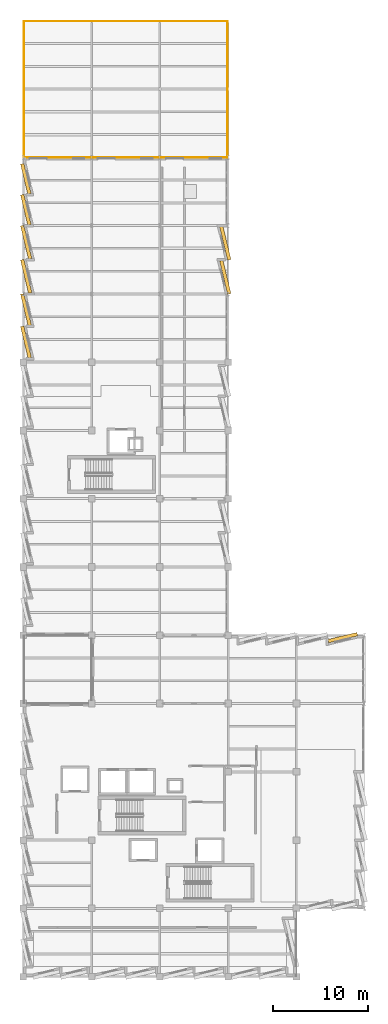
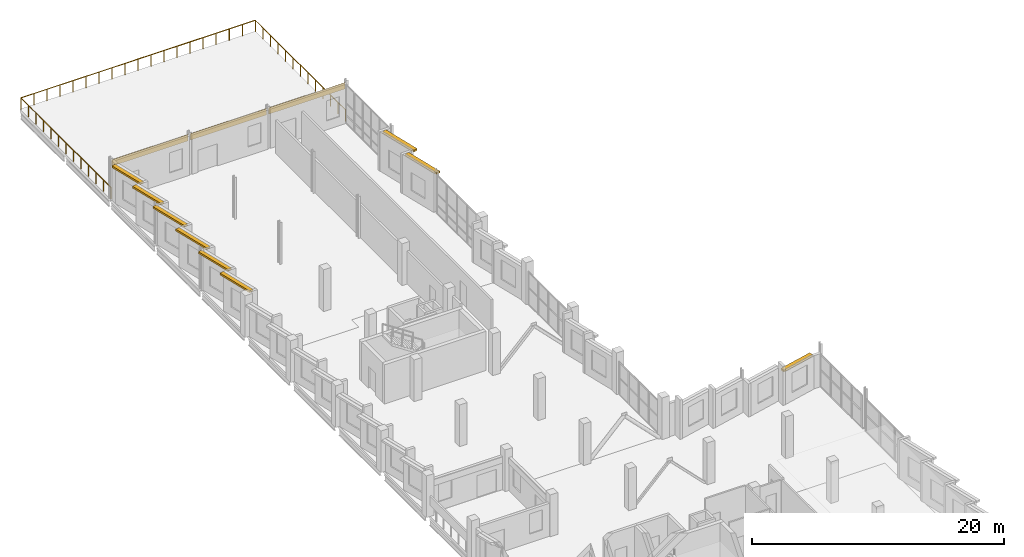
# One storey, part 33 of 33: 9 shading devices, 3 coverings, 3 railings.
"""IFC4 building model written with IfcOpenShell, lengths in metres."""

from ifc_helpers import new_model, si_unit, direction, frame, origin, origin_2d, place, context, subcontext, project, spatial, rectangle, circle, extrude, material, layer, layer_set, type_object, element, save


model = new_model("IFC4")

# Units and contexts
model_context = context("Model", 3, precision=1e-05, world=origin(), true_north=direction((0.0, 1.0)))
body_context = subcontext(model_context, "Body", "Model", "MODEL_VIEW")
ifc_project = project(units=[si_unit("LENGTHUNIT", "METRE"), si_unit("AREAUNIT", "SQUARE_METRE"), si_unit("VOLUMEUNIT", "CUBIC_METRE"), si_unit("PLANEANGLEUNIT", "RADIAN"), si_unit("MASSUNIT", "GRAM", prefix="KILO")], contexts=[model_context])

# Site, building, storey
site_placement = place(None, origin())
site = spatial("IfcSite", under=ifc_project, at=site_placement, CompositionType="ELEMENT")
building_placement = place(site_placement, origin())
building = spatial("IfcBuilding", under=site, at=building_placement, Name="Kalmorath City Hall", CompositionType="ELEMENT")
storey_placement = place(building_placement, frame((0.0, 0.0, 22.949951171875)))
storey = spatial("IfcBuildingStorey", under=building, at=storey_placement, Name="L05", CompositionType="ELEMENT", Elevation=22.949951171875)

# Coverings
ifc_material_1 = material(Name="Hardwood timber cladding", Category="wood")
ifc_layer_1 = layer(ifc_material_1, 0.044921875)
ifc_layer_set_1 = layer_set([ifc_layer_1], Name="Hardwood timber cladding")
covering_type = type_object("IfcCoveringType", Name="Hardwood recessed loggia wall cladding", PredefinedType="CLADDING", material=ifc_layer_set_1)
for number, where, z_axis, x_axis, name in (
    (1, (3.60009765625, 86.39501953125, 3.179931640625), (0.0, 0.0, 1.0), (1.0, 0.0, 0.0), "L05 timber loggia lining #88"),
    (2, (10.800048828125, 86.39501953125, 3.179931640625), (0.0, 0.0, 1.0), (1.0, 0.0, 0.0), "L05 timber loggia lining #89"),
    (3, (18.0, 86.39501953125, 3.179931640625), (0.0, 0.0, 1.0), (1.0, 0.0, 0.0), "L05 timber loggia lining #90"),
):
    element("IfcCovering", number, at=place(storey_placement, frame(where, z_axis=z_axis, x_axis=x_axis)), inside=storey, type_object=covering_type, Name=name, PredefinedType="CLADDING", context=body_context, shape_type="SweptSolid", body=[
        extrude(rectangle(XDim=6.993896484375, YDim=0.044921875, at=origin_2d()), origin(), (0.0, 0.0, 1.0), 0.60009765625),
    ])

# Railings
ifc_material_2 = material(Name="Stainless steel and laminated glass", Category="steel")
railing_type = type_object("IfcRailingType", Name="Outdoor terrace balustrade 1120", PredefinedType="BALUSTRADE", material=ifc_material_2)
railing_1_placement = place(storey_placement, frame((0.050048828125, 86.449951171875, 0.0)))
element("IfcRailing", 4, at=railing_1_placement, inside=storey, type_object=railing_type, Name="L05 West Wing North Roof Terrace balustrade #14", PredefinedType="BALUSTRADE", context=body_context, shape_type="SweptSolid", body=[
    extrude(circle(Radius=0.02392578125, at=origin_2d()), frame((0.0, 0.0, 1.09619140625), z_axis=(0.0, 1.0, 0.0), x_axis=(-1.0, 0.0, 0.0)), (0.0, 0.0, 1.0), 14.300048828125),
    extrude(circle(Radius=0.02099609375, at=origin_2d()), origin(), (0.0, 0.0, 1.0), 1.072021484375),
    extrude(circle(Radius=0.02099609375, at=origin_2d()), frame((0.0, 1.191650390625, 0.0)), (0.0, 0.0, 1.0), 1.072021484375),
    extrude(circle(Radius=0.02099609375, at=origin_2d()), frame((0.0, 2.38330078125, 0.0)), (0.0, 0.0, 1.0), 1.072021484375),
    extrude(circle(Radius=0.02099609375, at=origin_2d()), frame((0.0, 3.574951171875, 0.0)), (0.0, 0.0, 1.0), 1.072021484375),
    extrude(circle(Radius=0.02099609375, at=origin_2d()), frame((0.0, 4.7666015625, 0.0)), (0.0, 0.0, 1.0), 1.072021484375),
    extrude(circle(Radius=0.02099609375, at=origin_2d()), frame((0.0, 5.958251953125, 0.0)), (0.0, 0.0, 1.0), 1.072021484375),
    extrude(circle(Radius=0.02099609375, at=origin_2d()), frame((0.0, 7.14990234375, 0.0)), (0.0, 0.0, 1.0), 1.072021484375),
    extrude(circle(Radius=0.02099609375, at=origin_2d()), frame((0.0, 8.341796875, 0.0)), (0.0, 0.0, 1.0), 1.072021484375),
    extrude(circle(Radius=0.02099609375, at=origin_2d()), frame((0.0, 9.533447265625, 0.0)), (0.0, 0.0, 1.0), 1.072021484375),
    extrude(circle(Radius=0.02099609375, at=origin_2d()), frame((0.0, 10.72509765625, 0.0)), (0.0, 0.0, 1.0), 1.072021484375),
    extrude(circle(Radius=0.02099609375, at=origin_2d()), frame((0.0, 11.916748046875, 0.0)), (0.0, 0.0, 1.0), 1.072021484375),
    extrude(circle(Radius=0.02099609375, at=origin_2d()), frame((0.0, 13.1083984375, 0.0)), (0.0, 0.0, 1.0), 1.072021484375),
    extrude(circle(Radius=0.02099609375, at=origin_2d()), frame((0.0, 14.300048828125, 0.0)), (0.0, 0.0, 1.0), 1.072021484375),
])
railing_2_placement = place(storey_placement, frame((0.050048828125, 100.75, 0.0)))
element("IfcRailing", 5, at=railing_2_placement, inside=storey, type_object=railing_type, Name="L05 West Wing North Roof Terrace balustrade #15", PredefinedType="BALUSTRADE", context=body_context, shape_type="SweptSolid", body=[
    extrude(circle(Radius=0.02392578125, at=origin_2d()), frame((0.0, 0.0, 1.09619140625), z_axis=(1.0, 0.0, 0.0), x_axis=(0.0, 1.0, 0.0)), (0.0, 0.0, 1.0), 21.5),
    extrude(circle(Radius=0.02099609375, at=origin_2d()), origin(), (0.0, 0.0, 1.0), 1.072021484375),
    extrude(circle(Radius=0.02099609375, at=origin_2d()), frame((1.1943359375, 0.0, 0.0)), (0.0, 0.0, 1.0), 1.072021484375),
    extrude(circle(Radius=0.02099609375, at=origin_2d()), frame((2.388916015625, 0.0, 0.0)), (0.0, 0.0, 1.0), 1.072021484375),
    extrude(circle(Radius=0.02099609375, at=origin_2d()), frame((3.583251953125, 0.0, 0.0)), (0.0, 0.0, 1.0), 1.072021484375),
    extrude(circle(Radius=0.02099609375, at=origin_2d()), frame((4.77783203125, 0.0, 0.0)), (0.0, 0.0, 1.0), 1.072021484375),
    extrude(circle(Radius=0.02099609375, at=origin_2d()), frame((5.97216796875, 0.0, 0.0)), (0.0, 0.0, 1.0), 1.072021484375),
    extrude(circle(Radius=0.02099609375, at=origin_2d()), frame((7.166748046875, 0.0, 0.0)), (0.0, 0.0, 1.0), 1.072021484375),
    extrude(circle(Radius=0.02099609375, at=origin_2d()), frame((8.361083984375, 0.0, 0.0)), (0.0, 0.0, 1.0), 1.072021484375),
    extrude(circle(Radius=0.02099609375, at=origin_2d()), frame((9.5556640625, 0.0, 0.0)), (0.0, 0.0, 1.0), 1.072021484375),
    extrude(circle(Radius=0.02099609375, at=origin_2d()), frame((10.75, 0.0, 0.0)), (0.0, 0.0, 1.0), 1.072021484375),
    extrude(circle(Radius=0.02099609375, at=origin_2d()), frame((11.9443359375, 0.0, 0.0)), (0.0, 0.0, 1.0), 1.072021484375),
    extrude(circle(Radius=0.02099609375, at=origin_2d()), frame((13.138916015625, 0.0, 0.0)), (0.0, 0.0, 1.0), 1.072021484375),
    extrude(circle(Radius=0.02099609375, at=origin_2d()), frame((14.333251953125, 0.0, 0.0)), (0.0, 0.0, 1.0), 1.072021484375),
    extrude(circle(Radius=0.02099609375, at=origin_2d()), frame((15.52783203125, 0.0, 0.0)), (0.0, 0.0, 1.0), 1.072021484375),
    extrude(circle(Radius=0.02099609375, at=origin_2d()), frame((16.72216796875, 0.0, 0.0)), (0.0, 0.0, 1.0), 1.072021484375),
    extrude(circle(Radius=0.02099609375, at=origin_2d()), frame((17.916748046875, 0.0, 0.0)), (0.0, 0.0, 1.0), 1.072021484375),
    extrude(circle(Radius=0.02099609375, at=origin_2d()), frame((19.111083984375, 0.0, 0.0)), (0.0, 0.0, 1.0), 1.072021484375),
    extrude(circle(Radius=0.02099609375, at=origin_2d()), frame((20.3056640625, 0.0, 0.0)), (0.0, 0.0, 1.0), 1.072021484375),
    extrude(circle(Radius=0.02099609375, at=origin_2d()), frame((21.5, 0.0, 0.0)), (0.0, 0.0, 1.0), 1.072021484375),
])
railing_3_placement = place(storey_placement, frame((21.550048828125, 100.75, 0.0)))
element("IfcRailing", 6, at=railing_3_placement, inside=storey, type_object=railing_type, Name="L05 West Wing North Roof Terrace balustrade #16", PredefinedType="BALUSTRADE", context=body_context, shape_type="SweptSolid", body=[
    extrude(circle(Radius=0.02392578125, at=origin_2d()), frame((0.0, 0.0, 1.09619140625), z_axis=(0.0, -1.0, 0.0), x_axis=(1.0, 0.0, 0.0)), (0.0, 0.0, 1.0), 14.300048828125),
    extrude(circle(Radius=0.02099609375, at=origin_2d()), origin(), (0.0, 0.0, 1.0), 1.072021484375),
    extrude(circle(Radius=0.02099609375, at=origin_2d()), frame((0.0, -1.191650390625, 0.0)), (0.0, 0.0, 1.0), 1.072021484375),
    extrude(circle(Radius=0.02099609375, at=origin_2d()), frame((0.0, -2.38330078125, 0.0)), (0.0, 0.0, 1.0), 1.072021484375),
    extrude(circle(Radius=0.02099609375, at=origin_2d()), frame((0.0, -3.574951171875, 0.0)), (0.0, 0.0, 1.0), 1.072021484375),
    extrude(circle(Radius=0.02099609375, at=origin_2d()), frame((0.0, -4.7666015625, 0.0)), (0.0, 0.0, 1.0), 1.072021484375),
    extrude(circle(Radius=0.02099609375, at=origin_2d()), frame((0.0, -5.958251953125, 0.0)), (0.0, 0.0, 1.0), 1.072021484375),
    extrude(circle(Radius=0.02099609375, at=origin_2d()), frame((0.0, -7.14990234375, 0.0)), (0.0, 0.0, 1.0), 1.072021484375),
    extrude(circle(Radius=0.02099609375, at=origin_2d()), frame((0.0, -8.341796875, 0.0)), (0.0, 0.0, 1.0), 1.072021484375),
    extrude(circle(Radius=0.02099609375, at=origin_2d()), frame((0.0, -9.533447265625, 0.0)), (0.0, 0.0, 1.0), 1.072021484375),
    extrude(circle(Radius=0.02099609375, at=origin_2d()), frame((0.0, -10.72509765625, 0.0)), (0.0, 0.0, 1.0), 1.072021484375),
    extrude(circle(Radius=0.02099609375, at=origin_2d()), frame((0.0, -11.916748046875, 0.0)), (0.0, 0.0, 1.0), 1.072021484375),
    extrude(circle(Radius=0.02099609375, at=origin_2d()), frame((0.0, -13.1083984375, 0.0)), (0.0, 0.0, 1.0), 1.072021484375),
    extrude(circle(Radius=0.02099609375, at=origin_2d()), frame((0.0, -14.300048828125, 0.0)), (0.0, 0.0, 1.0), 1.072021484375),
])

# Shading devices
ifc_material_3 = material(Name="Precast concrete C40/50", Category="concrete")
ifc_layer_2 = layer(ifc_material_3, 0.179931640625)
ifc_layer_set_2 = layer_set([ifc_layer_2], Name="Precast concrete C40/50")
shading_device_type = type_object("IfcShadingDeviceType", Name="Precast sawtooth brow sunshade 350", PredefinedType="USERDEFINED", material=ifc_layer_set_2)
for number, where, z_axis, x_axis, name in (
    (7, (0.280029296875, 66.909423828125, 3.58984375), (0.0, 0.0, 1.0), (-0.233428392764, 0.97237399464, 0.0), "L05 precast sawtooth hood #457"),
    (8, (0.280029296875, 70.333984375, 3.58984375), (0.0, 0.0, 1.0), (-0.233428392764, 0.97237399464, 0.0), "L05 precast sawtooth hood #458"),
):
    element("IfcShadingDevice", number, at=place(storey_placement, frame(where, z_axis=z_axis, x_axis=x_axis)), inside=storey, type_object=shading_device_type, Name=name, ObjectType="SUNSHADE", PredefinedType="USERDEFINED", context=body_context, shape_type="SweptSolid", body=[
        extrude(rectangle(XDim=3.4267578125, YDim=0.360107421875, at=origin_2d()), origin(), (0.0, 0.0, 1.0), 0.179931640625),
    ])
for number, where, z_axis, x_axis, name in (
    (9, (0.301025390625, 73.84619140625, 3.58984375), (0.0, 0.0, 1.0), (-0.233445363856, 0.972369920398, 0.0), "L05 precast sawtooth hood #459"),
    (10, (0.301025390625, 77.4462890625, 3.58984375), (0.0, 0.0, 1.0), (-0.233445363856, 0.972369920398, 0.0), "L05 precast sawtooth hood #460"),
):
    element("IfcShadingDevice", number, at=place(storey_placement, frame(where, z_axis=z_axis, x_axis=x_axis)), inside=storey, type_object=shading_device_type, Name=name, ObjectType="SUNSHADE", PredefinedType="USERDEFINED", context=body_context, shape_type="SweptSolid", body=[
        extrude(rectangle(XDim=3.607421875, YDim=0.360107421875, at=origin_2d()), origin(), (0.0, 0.0, 1.0), 0.179931640625),
    ])
for number, where, z_axis, x_axis, name in (
    (11, (0.26025390625, 80.876220703125, 3.58984375), (0.0, 0.0, 1.0), (-0.233462334877, 0.972365845859, 0.0), "L05 precast sawtooth hood #461"),
    (12, (0.26025390625, 84.13623046875, 3.58984375), (0.0, 0.0, 1.0), (-0.233462334877, 0.972365845859, 0.0), "L05 precast sawtooth hood #462"),
):
    element("IfcShadingDevice", number, at=place(storey_placement, frame(where, z_axis=z_axis, x_axis=x_axis)), inside=storey, type_object=shading_device_type, Name=name, ObjectType="SUNSHADE", PredefinedType="USERDEFINED", context=body_context, shape_type="SweptSolid", body=[
        extrude(rectangle(XDim=3.257568359375, YDim=0.360107421875, at=origin_2d()), origin(), (0.0, 0.0, 1.0), 0.179931640625),
    ])
for number, where, z_axis, x_axis, name in (
    (13, (21.298828125, 77.353759765625, 3.58984375), (0.0, 0.0, 1.0), (0.233445363856, -0.972369920398, 0.0), "L05 precast sawtooth hood #463"),
    (14, (21.298828125, 73.75390625, 3.58984375), (0.0, 0.0, 1.0), (0.233445363856, -0.972369920398, 0.0), "L05 precast sawtooth hood #464"),
):
    element("IfcShadingDevice", number, at=place(storey_placement, frame(where, z_axis=z_axis, x_axis=x_axis)), inside=storey, type_object=shading_device_type, Name=name, ObjectType="SUNSHADE", PredefinedType="USERDEFINED", context=body_context, shape_type="SweptSolid", body=[
        extrude(rectangle(XDim=3.607421875, YDim=0.360107421875, at=origin_2d()), origin(), (0.0, 0.0, 1.0), 0.179931640625),
    ])
shading_device_placement = place(storey_placement, frame((33.684814453125, 35.752197265625, 3.005859375), z_axis=(0.0, 0.0, 1.0), x_axis=(0.972369920398, 0.233445363856, 0.0)))
element("IfcShadingDevice", 15, at=shading_device_placement, inside=storey, type_object=shading_device_type, Name="L05 precast sawtooth hood #472", ObjectType="SUNSHADE", PredefinedType="USERDEFINED", context=body_context, shape_type="SweptSolid", body=[
    extrude(rectangle(XDim=3.151611328125, YDim=0.360107421875, at=origin_2d()), origin(), (0.0, 0.0, 1.0), 0.179931640625),
])

save(model, "model.ifc")
